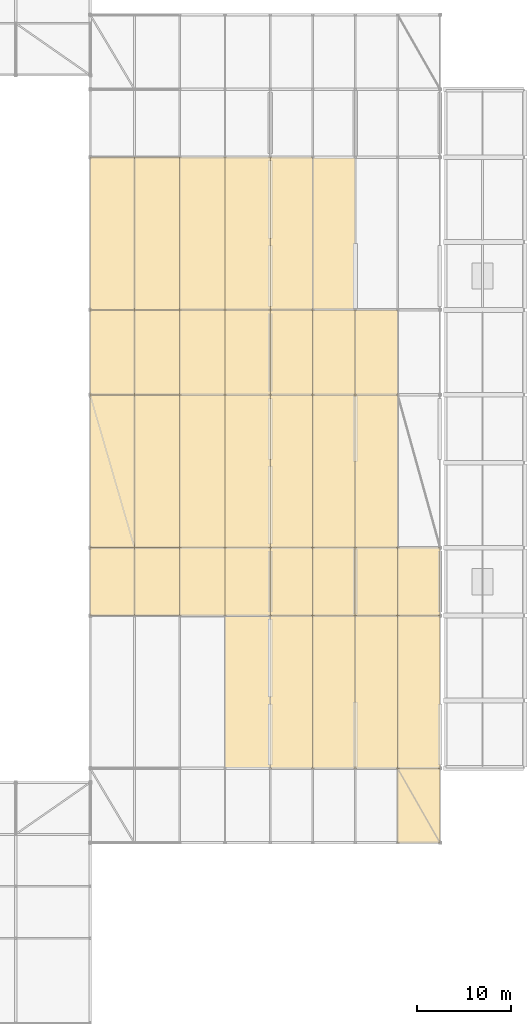
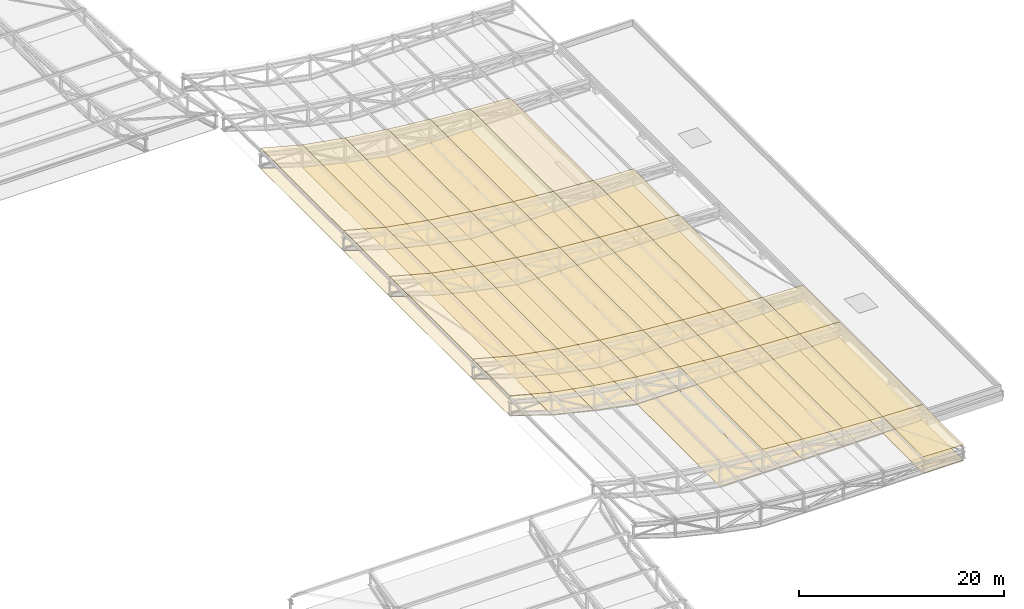
# One storey, part 112 of 114: 66 coverings, 2 elements without a shape of their own.
"""IFC4 building model written with IfcOpenShell, lengths in metres."""

from ifc_helpers import new_model, si_unit, direction, frame, origin, place, context, subcontext, project, spatial, polyline, outline, extrude, material, layer, layer_set, type_object, element, aggregate, save


model = new_model("IFC4")

# Units and contexts
model_context = context("Model", 3, precision=1e-05, world=origin(), true_north=direction((0.0, 1.0)))
body_context = subcontext(model_context, "Body", "Model", "MODEL_VIEW")
ifc_project = project(units=[si_unit("LENGTHUNIT", "METRE"), si_unit("AREAUNIT", "SQUARE_METRE"), si_unit("VOLUMEUNIT", "CUBIC_METRE"), si_unit("PLANEANGLEUNIT", "RADIAN"), si_unit("MASSUNIT", "GRAM", prefix="KILO"), si_unit("THERMODYNAMICTEMPERATUREUNIT", "KELVIN"), si_unit("POWERUNIT", "WATT")], contexts=[model_context])

# Site, building, storey
site_placement = place(None, origin())
site = spatial("IfcSite", under=ifc_project, at=site_placement, CompositionType="ELEMENT")
building_placement = place(site_placement, origin())
building = spatial("IfcBuilding", under=site, at=building_placement, Name="Sindhuravela Promenade Stadium", CompositionType="ELEMENT")
storey_placement = place(building_placement, frame((0.0, 0.0, 24.0)))
storey = spatial("IfcBuildingStorey", under=building, at=storey_placement, Name="L05", CompositionType="ELEMENT", Elevation=24.0)

# Roof, coverings
ifc_material_1 = material(Name="Standing-seam zinc-aluminium roof sheet", Category="aluminium")
roof_type = type_object("IfcRoofType", Name="RF-BARREL-E", PredefinedType="BARREL_ROOF", material=ifc_material_1)
roof_1_placement = place(storey_placement, origin())
roof_1 = element("IfcRoof", 1, at=roof_1_placement, inside=storey, type_object=roof_type, Name="Cantilevered stand roof assembly E-1", PredefinedType="BARREL_ROOF")
ifc_layer_1 = layer(ifc_material_1, 0.044921875)
ifc_layer_set_1 = layer_set([ifc_layer_1], Name="Standing-seam zinc-aluminium roof sheet")
covering_type_1 = type_object("IfcCoveringType", Name="CV-ROOF-E", PredefinedType="ROOFING", material=ifc_layer_set_1)
covering_1_placement = place(storey_placement, frame((198.0, 37.10009765625, 1.530029296875), z_axis=(0.029013388526599376, 0.0, 0.9995790230322985), x_axis=(0.0, 1.0, 0.0)))
covering_1 = element("IfcCovering", 2, at=covering_1_placement, type_object=covering_type_1, Name="Standing-seam roof covering E bay 1.1", PredefinedType="ROOFING", context=body_context, shape_type="SweptSolid", body=[
    extrude(outline(polyline([(0.0, 0.0), (7.89990234375, 0.0), (7.89990234375, 4.501895194187758), (0.0, 4.501895194187758), (0.0, 0.0)])), origin(), (0.0, 0.0, -1.0), 0.044921875),
])
covering_2_placement = place(storey_placement, frame((198.0, 45.0, 1.530029296875), z_axis=(0.029013388526599376, 0.0, 0.9995790230322985), x_axis=(0.0, 1.0, 0.0)))
covering_2 = element("IfcCovering", 3, at=covering_2_placement, type_object=covering_type_1, Name="Standing-seam roof covering E bay 2.1", PredefinedType="ROOFING", context=body_context, shape_type="SweptSolid", body=[
    extrude(outline(polyline([(0.0, 0.0), (16.199951171875, 0.0), (16.199951171875, 4.501895194187758), (0.0, 4.501895194187758), (0.0, 0.0)])), origin(), (0.0, 0.0, -1.0), 0.044921875),
])
covering_3_placement = place(storey_placement, frame((193.5, 45.0, 1.66064453125), z_axis=(0.044011133083803756, 0.0, 0.9990310406412203), x_axis=(0.0, 1.0, 0.0)))
covering_3 = element("IfcCovering", 4, at=covering_3_placement, type_object=covering_type_1, Name="Standing-seam roof covering E bay 2.2", PredefinedType="ROOFING", context=body_context, shape_type="SweptSolid", body=[
    extrude(outline(polyline([(0.0, 0.0), (16.199951171875, 0.0), (16.199951171875, 4.504364546182378), (0.0, 4.504364546182378), (0.0, 0.0)])), origin(), (0.0, 0.0, -1.0), 0.044921875),
])
covering_4_placement = place(storey_placement, frame((189.0, 45.0, 1.85888671875), z_axis=(0.060436199081064255, 0.0, 0.9981720622420935), x_axis=(0.0, 1.0, 0.0)))
covering_4 = element("IfcCovering", 5, at=covering_4_placement, type_object=covering_type_1, Name="Standing-seam roof covering E bay 2.3", PredefinedType="ROOFING", context=body_context, shape_type="SweptSolid", body=[
    extrude(outline(polyline([(0.0, 0.0), (16.199951171875, 0.0), (16.199951171875, 4.508240783549985), (0.0, 4.508240783549985), (0.0, 0.0)])), origin(), (0.0, 0.0, -1.0), 0.044921875),
])
covering_5_placement = place(storey_placement, frame((184.5, 45.0, 2.13134765625), z_axis=(0.07896274138457582, 0.0, 0.996877567945549), x_axis=(0.0, 1.0, 0.0)))
covering_5 = element("IfcCovering", 6, at=covering_5_placement, type_object=covering_type_1, Name="Standing-seam roof covering E bay 2.4", PredefinedType="ROOFING", context=body_context, shape_type="SweptSolid", body=[
    extrude(outline(polyline([(0.0, 0.0), (16.199951171875, 0.0), (16.199951171875, 4.514094954783653), (0.0, 4.514094954783653), (0.0, 0.0)])), origin(), (0.0, 0.0, -1.0), 0.044921875),
])
covering_6_placement = place(storey_placement, frame((198.0, 61.199951171875, 1.530029296875), z_axis=(0.02901338852659938, 0.0, 0.9995790230322986), x_axis=(0.0, 1.0, 0.0)))
covering_6 = element("IfcCovering", 7, at=covering_6_placement, type_object=covering_type_1, Name="Standing-seam roof covering E bay 3.1", PredefinedType="ROOFING", context=body_context, shape_type="SweptSolid", body=[
    extrude(outline(polyline([(0.0, 0.0), (7.199951171875, 0.0), (7.199951171875, 4.5018951941877585), (0.0, 4.5018951941877585), (0.0, 0.0)])), origin(), (0.0, 0.0, -1.0), 0.044921875),
])
covering_7_placement = place(storey_placement, frame((193.5, 61.199951171875, 1.66064453125), z_axis=(0.04401113308380376, 0.0, 0.9990310406412204), x_axis=(0.0, 1.0, 0.0)))
covering_7 = element("IfcCovering", 8, at=covering_7_placement, type_object=covering_type_1, Name="Standing-seam roof covering E bay 3.2", PredefinedType="ROOFING", context=body_context, shape_type="SweptSolid", body=[
    extrude(outline(polyline([(0.0, 0.0), (7.199951171875, 0.0), (7.199951171875, 4.504364546182379), (0.0, 4.504364546182379), (0.0, 0.0)])), origin(), (0.0, 0.0, -1.0), 0.044921875),
])
covering_8_placement = place(storey_placement, frame((189.0, 61.199951171875, 1.85888671875), z_axis=(0.060436199081064255, 0.0, 0.9981720622420935), x_axis=(0.0, 1.0, 0.0)))
covering_8 = element("IfcCovering", 9, at=covering_8_placement, type_object=covering_type_1, Name="Standing-seam roof covering E bay 3.3", PredefinedType="ROOFING", context=body_context, shape_type="SweptSolid", body=[
    extrude(outline(polyline([(0.0, 0.0), (7.199951171875, 0.0), (7.199951171875, 4.508240783549985), (0.0, 4.508240783549985), (0.0, 0.0)])), origin(), (0.0, 0.0, -1.0), 0.044921875),
])
covering_9_placement = place(storey_placement, frame((184.5, 61.199951171875, 2.13134765625), z_axis=(0.07896274138457582, 0.0, 0.9968775679455489), x_axis=(0.0, 1.0, 0.0)))
covering_9 = element("IfcCovering", 10, at=covering_9_placement, type_object=covering_type_1, Name="Standing-seam roof covering E bay 3.4", PredefinedType="ROOFING", context=body_context, shape_type="SweptSolid", body=[
    extrude(outline(polyline([(0.0, 0.0), (7.199951171875, 0.0), (7.199951171875, 4.514094954783652), (0.0, 4.514094954783652), (0.0, 0.0)])), origin(), (0.0, 0.0, -1.0), 0.044921875),
])
covering_10_placement = place(storey_placement, frame((180.0, 61.199951171875, 2.48779296875), z_axis=(0.10190304617894301, 0.0, 0.9947943351162852), x_axis=(0.0, 1.0, 0.0)))
covering_10 = element("IfcCovering", 11, at=covering_10_placement, type_object=covering_type_1, Name="Standing-seam roof covering E bay 3.5", PredefinedType="ROOFING", context=body_context, shape_type="SweptSolid", body=[
    extrude(outline(polyline([(0.0, 0.0), (7.199951171875, 0.0), (7.199951171875, 4.825167030694745), (0.0, 4.825167030694745), (0.0, 0.0)])), origin(), (0.0, 0.0, -1.0), 0.044921875),
])
covering_11_placement = place(storey_placement, frame((175.199951171875, 61.199951171875, 2.9794921875), z_axis=(0.1322396730802035, 0.0, 0.9912177706556925), x_axis=(0.0, 1.0, 0.0)))
covering_11 = element("IfcCovering", 12, at=covering_11_placement, type_object=covering_type_1, Name="Standing-seam roof covering E bay 3.6", PredefinedType="ROOFING", context=body_context, shape_type="SweptSolid", body=[
    extrude(outline(polyline([(0.0, 0.0), (7.199951171875, 0.0), (7.199951171875, 4.842577453943101), (0.0, 4.842577453943101), (0.0, 0.0)])), origin(), (0.0, 0.0, -1.0), 0.044921875),
])
covering_12_placement = place(storey_placement, frame((170.39990234375, 61.199951171875, 3.619873046875), z_axis=(0.17653223173388988, 0.0, 0.9842948598662152), x_axis=(0.0, 1.0, 0.0)))
covering_12 = element("IfcCovering", 13, at=covering_12_placement, type_object=covering_type_1, Name="Standing-seam roof covering E bay 3.7", PredefinedType="ROOFING", context=body_context, shape_type="SweptSolid", body=[
    extrude(outline(polyline([(0.0, 0.0), (7.199951171875, 0.0), (7.199951171875, 4.876389061050656), (0.0, 4.876389061050656), (0.0, 0.0)])), origin(), (0.0, 0.0, -1.0), 0.044921875),
])
covering_13_placement = place(storey_placement, frame((165.60009765625, 61.199951171875, 4.480712890625), z_axis=(0.2568720746349965, 0.0, 0.9664454134987205), x_axis=(0.0, 1.0, 0.0)))
covering_13 = element("IfcCovering", 14, at=covering_13_placement, type_object=covering_type_1, Name="Standing-seam roof covering E bay 3.8", PredefinedType="ROOFING", context=body_context, shape_type="SweptSolid", body=[
    extrude(outline(polyline([(0.0, 0.0), (7.199951171875, 0.0), (7.199951171875, 4.8633841568810166), (0.0, 4.8633841568810166), (0.0, 0.0)])), origin(), (0.0, 0.0, -1.0), 0.044921875),
])
covering_14_placement = place(storey_placement, frame((193.5, 68.39990234375, 1.66064453125), z_axis=(0.04401113308380376, 0.0, 0.9990310406412204), x_axis=(0.0, 1.0, 0.0)))
covering_14 = element("IfcCovering", 15, at=covering_14_placement, type_object=covering_type_1, Name="Standing-seam roof covering E bay 4.2", PredefinedType="ROOFING", context=body_context, shape_type="SweptSolid", body=[
    extrude(outline(polyline([(0.0, 0.0), (16.2001953125, 0.0), (16.2001953125, 4.504364546182379), (0.0, 4.504364546182379), (0.0, 0.0)])), origin(), (0.0, 0.0, -1.0), 0.044921875),
])
covering_15_placement = place(storey_placement, frame((189.0, 68.39990234375, 1.85888671875), z_axis=(0.06043619908106426, 0.0, 0.9981720622420936), x_axis=(0.0, 1.0, 0.0)))
covering_15 = element("IfcCovering", 16, at=covering_15_placement, type_object=covering_type_1, Name="Standing-seam roof covering E bay 4.3", PredefinedType="ROOFING", context=body_context, shape_type="SweptSolid", body=[
    extrude(outline(polyline([(0.0, 0.0), (16.2001953125, 0.0), (16.2001953125, 4.508240783549985), (0.0, 4.508240783549985), (0.0, 0.0)])), origin(), (0.0, 0.0, -1.0), 0.044921875),
])
covering_16_placement = place(storey_placement, frame((184.5, 68.39990234375, 2.13134765625), z_axis=(0.07896274138457582, 0.0, 0.9968775679455489), x_axis=(0.0, 1.0, 0.0)))
covering_16 = element("IfcCovering", 17, at=covering_16_placement, type_object=covering_type_1, Name="Standing-seam roof covering E bay 4.4", PredefinedType="ROOFING", context=body_context, shape_type="SweptSolid", body=[
    extrude(outline(polyline([(0.0, 0.0), (16.2001953125, 0.0), (16.2001953125, 4.514094954783652), (0.0, 4.514094954783652), (0.0, 0.0)])), origin(), (0.0, 0.0, -1.0), 0.044921875),
])
covering_17_placement = place(storey_placement, frame((180.0, 68.39990234375, 2.48779296875), z_axis=(0.10190304617894302, 0.0, 0.9947943351162855), x_axis=(0.0, 1.0, 0.0)))
covering_17 = element("IfcCovering", 18, at=covering_17_placement, type_object=covering_type_1, Name="Standing-seam roof covering E bay 4.5", PredefinedType="ROOFING", context=body_context, shape_type="SweptSolid", body=[
    extrude(outline(polyline([(0.0, 0.0), (16.2001953125, 0.0), (16.2001953125, 4.825167030694747), (0.0, 4.825167030694747), (0.0, 0.0)])), origin(), (0.0, 0.0, -1.0), 0.044921875),
])
covering_18_placement = place(storey_placement, frame((175.199951171875, 68.39990234375, 2.9794921875), z_axis=(0.1322396730802035, 0.0, 0.9912177706556924), x_axis=(0.0, 1.0, 0.0)))
covering_18 = element("IfcCovering", 19, at=covering_18_placement, type_object=covering_type_1, Name="Standing-seam roof covering E bay 4.6", PredefinedType="ROOFING", context=body_context, shape_type="SweptSolid", body=[
    extrude(outline(polyline([(0.0, 0.0), (16.2001953125, 0.0), (16.2001953125, 4.842577453943101), (0.0, 4.842577453943101), (0.0, 0.0)])), origin(), (0.0, 0.0, -1.0), 0.044921875),
])
covering_19_placement = place(storey_placement, frame((170.39990234375, 68.39990234375, 3.619873046875), z_axis=(0.17653223173388988, 0.0, 0.9842948598662152), x_axis=(0.0, 1.0, 0.0)))
covering_19 = element("IfcCovering", 20, at=covering_19_placement, type_object=covering_type_1, Name="Standing-seam roof covering E bay 4.7", PredefinedType="ROOFING", context=body_context, shape_type="SweptSolid", body=[
    extrude(outline(polyline([(0.0, 0.0), (16.2001953125, 0.0), (16.2001953125, 4.876389061050656), (0.0, 4.876389061050656), (0.0, 0.0)])), origin(), (0.0, 0.0, -1.0), 0.044921875),
])
covering_20_placement = place(storey_placement, frame((165.60009765625, 68.39990234375, 4.480712890625), z_axis=(0.2568720746349965, 0.0, 0.9664454134987205), x_axis=(0.0, 1.0, 0.0)))
covering_20 = element("IfcCovering", 21, at=covering_20_placement, type_object=covering_type_1, Name="Standing-seam roof covering E bay 4.8", PredefinedType="ROOFING", context=body_context, shape_type="SweptSolid", body=[
    extrude(outline(polyline([(0.0, 0.0), (16.2001953125, 0.0), (16.2001953125, 4.8633841568810166), (0.0, 4.8633841568810166), (0.0, 0.0)])), origin(), (0.0, 0.0, -1.0), 0.044921875),
])
aggregate(roof_1, [covering_1, covering_2, covering_3, covering_4, covering_5, covering_6, covering_7, covering_8, covering_9, covering_10, covering_11, covering_12, covering_13, covering_14, covering_15, covering_16, covering_17, covering_18, covering_19, covering_20])

roof_2_placement = place(storey_placement, origin())
roof_2 = element("IfcRoof", 22, at=roof_2_placement, inside=storey, type_object=roof_type, Name="Cantilevered stand roof assembly E-2", PredefinedType="BARREL_ROOF")
covering_21_placement = place(storey_placement, frame((193.5, 84.60009765625, 1.66064453125), z_axis=(0.04401113308380376, 0.0, 0.9990310406412204), x_axis=(0.0, 1.0, 0.0)))
covering_21 = element("IfcCovering", 23, at=covering_21_placement, type_object=covering_type_1, Name="Standing-seam roof covering E bay 5.2", PredefinedType="ROOFING", context=body_context, shape_type="SweptSolid", body=[
    extrude(outline(polyline([(0.0, 0.0), (9.0, 0.0), (9.0, 4.504364546182379), (0.0, 4.504364546182379), (0.0, 0.0)])), origin(), (0.0, 0.0, -1.0), 0.044921875),
])
covering_22_placement = place(storey_placement, frame((189.0, 84.60009765625, 1.85888671875), z_axis=(0.060436199081064255, 0.0, 0.9981720622420935), x_axis=(0.0, 1.0, 0.0)))
covering_22 = element("IfcCovering", 24, at=covering_22_placement, type_object=covering_type_1, Name="Standing-seam roof covering E bay 5.3", PredefinedType="ROOFING", context=body_context, shape_type="SweptSolid", body=[
    extrude(outline(polyline([(0.0, 0.0), (9.0, 0.0), (9.0, 4.508240783549985), (0.0, 4.508240783549985), (0.0, 0.0)])), origin(), (0.0, 0.0, -1.0), 0.044921875),
])
covering_23_placement = place(storey_placement, frame((184.5, 84.60009765625, 2.13134765625), z_axis=(0.07896274138457582, 0.0, 0.9968775679455489), x_axis=(0.0, 1.0, 0.0)))
covering_23 = element("IfcCovering", 25, at=covering_23_placement, type_object=covering_type_1, Name="Standing-seam roof covering E bay 5.4", PredefinedType="ROOFING", context=body_context, shape_type="SweptSolid", body=[
    extrude(outline(polyline([(0.0, 0.0), (9.0, 0.0), (9.0, 4.514094954783652), (0.0, 4.514094954783652), (0.0, 0.0)])), origin(), (0.0, 0.0, -1.0), 0.044921875),
])
covering_24_placement = place(storey_placement, frame((180.0, 84.60009765625, 2.48779296875), z_axis=(0.10190304617894301, 0.0, 0.9947943351162853), x_axis=(0.0, 1.0, 0.0)))
covering_24 = element("IfcCovering", 26, at=covering_24_placement, type_object=covering_type_1, Name="Standing-seam roof covering E bay 5.5", PredefinedType="ROOFING", context=body_context, shape_type="SweptSolid", body=[
    extrude(outline(polyline([(0.0, 0.0), (9.0, 0.0), (9.0, 4.825167030694746), (0.0, 4.825167030694746), (0.0, 0.0)])), origin(), (0.0, 0.0, -1.0), 0.044921875),
])
covering_25_placement = place(storey_placement, frame((175.199951171875, 84.60009765625, 2.9794921875), z_axis=(0.1322396730802035, 0.0, 0.9912177706556925), x_axis=(0.0, 1.0, 0.0)))
covering_25 = element("IfcCovering", 27, at=covering_25_placement, type_object=covering_type_1, Name="Standing-seam roof covering E bay 5.6", PredefinedType="ROOFING", context=body_context, shape_type="SweptSolid", body=[
    extrude(outline(polyline([(0.0, 0.0), (9.0, 0.0), (9.0, 4.842577453943101), (0.0, 4.842577453943101), (0.0, 0.0)])), origin(), (0.0, 0.0, -1.0), 0.044921875),
])
covering_26_placement = place(storey_placement, frame((170.39990234375, 84.60009765625, 3.619873046875), z_axis=(0.17653223173388985, 0.0, 0.9842948598662151), x_axis=(0.0, 1.0, 0.0)))
covering_26 = element("IfcCovering", 28, at=covering_26_placement, type_object=covering_type_1, Name="Standing-seam roof covering E bay 5.7", PredefinedType="ROOFING", context=body_context, shape_type="SweptSolid", body=[
    extrude(outline(polyline([(0.0, 0.0), (9.0, 0.0), (9.0, 4.876389061050656), (0.0, 4.876389061050656), (0.0, 0.0)])), origin(), (0.0, 0.0, -1.0), 0.044921875),
])
covering_27_placement = place(storey_placement, frame((165.60009765625, 84.60009765625, 4.480712890625), z_axis=(0.2568720746349965, 0.0, 0.9664454134987204), x_axis=(0.0, 1.0, 0.0)))
covering_27 = element("IfcCovering", 29, at=covering_27_placement, type_object=covering_type_1, Name="Standing-seam roof covering E bay 5.8", PredefinedType="ROOFING", context=body_context, shape_type="SweptSolid", body=[
    extrude(outline(polyline([(0.0, 0.0), (9.0, 0.0), (9.0, 4.8633841568810166), (0.0, 4.8633841568810166), (0.0, 0.0)])), origin(), (0.0, 0.0, -1.0), 0.044921875),
])
covering_28_placement = place(storey_placement, frame((189.0, 93.60009765625, 1.85888671875), z_axis=(0.060436199081064255, 0.0, 0.9981720622420935), x_axis=(0.0, 1.0, 0.0)))
covering_28 = element("IfcCovering", 30, at=covering_28_placement, type_object=covering_type_1, Name="Standing-seam roof covering E bay 6.3", PredefinedType="ROOFING", context=body_context, shape_type="SweptSolid", body=[
    extrude(outline(polyline([(0.0, 0.0), (16.199951171875, 0.0), (16.199951171875, 4.508240783549985), (0.0, 4.508240783549985), (0.0, 0.0)])), origin(), (0.0, 0.0, -1.0), 0.044921875),
])
covering_29_placement = place(storey_placement, frame((184.5, 93.60009765625, 2.13134765625), z_axis=(0.07896274138457582, 0.0, 0.996877567945549), x_axis=(0.0, 1.0, 0.0)))
covering_29 = element("IfcCovering", 31, at=covering_29_placement, type_object=covering_type_1, Name="Standing-seam roof covering E bay 6.4", PredefinedType="ROOFING", context=body_context, shape_type="SweptSolid", body=[
    extrude(outline(polyline([(0.0, 0.0), (16.199951171875, 0.0), (16.199951171875, 4.514094954783653), (0.0, 4.514094954783653), (0.0, 0.0)])), origin(), (0.0, 0.0, -1.0), 0.044921875),
])
covering_30_placement = place(storey_placement, frame((180.0, 93.60009765625, 2.48779296875), z_axis=(0.10190304617894302, 0.0, 0.9947943351162853), x_axis=(0.0, 1.0, 0.0)))
covering_30 = element("IfcCovering", 32, at=covering_30_placement, type_object=covering_type_1, Name="Standing-seam roof covering E bay 6.5", PredefinedType="ROOFING", context=body_context, shape_type="SweptSolid", body=[
    extrude(outline(polyline([(0.0, 0.0), (16.199951171875, 0.0), (16.199951171875, 4.825167030694746), (0.0, 4.825167030694746), (0.0, 0.0)])), origin(), (0.0, 0.0, -1.0), 0.044921875),
])
covering_31_placement = place(storey_placement, frame((175.199951171875, 93.60009765625, 2.9794921875), z_axis=(0.1322396730802035, 0.0, 0.9912177706556924), x_axis=(0.0, 1.0, 0.0)))
covering_31 = element("IfcCovering", 33, at=covering_31_placement, type_object=covering_type_1, Name="Standing-seam roof covering E bay 6.6", PredefinedType="ROOFING", context=body_context, shape_type="SweptSolid", body=[
    extrude(outline(polyline([(0.0, 0.0), (16.199951171875, 0.0), (16.199951171875, 4.842577453943101), (0.0, 4.842577453943101), (0.0, 0.0)])), origin(), (0.0, 0.0, -1.0), 0.044921875),
])
covering_32_placement = place(storey_placement, frame((170.39990234375, 93.60009765625, 3.619873046875), z_axis=(0.17653223173388985, 0.0, 0.9842948598662151), x_axis=(0.0, 1.0, 0.0)))
covering_32 = element("IfcCovering", 34, at=covering_32_placement, type_object=covering_type_1, Name="Standing-seam roof covering E bay 6.7", PredefinedType="ROOFING", context=body_context, shape_type="SweptSolid", body=[
    extrude(outline(polyline([(0.0, 0.0), (16.199951171875, 0.0), (16.199951171875, 4.876389061050656), (0.0, 4.876389061050656), (0.0, 0.0)])), origin(), (0.0, 0.0, -1.0), 0.044921875),
])
covering_33_placement = place(storey_placement, frame((165.60009765625, 93.60009765625, 4.480712890625), z_axis=(0.2568720746349965, 0.0, 0.9664454134987206), x_axis=(0.0, 1.0, 0.0)))
covering_33 = element("IfcCovering", 35, at=covering_33_placement, type_object=covering_type_1, Name="Standing-seam roof covering E bay 6.8", PredefinedType="ROOFING", context=body_context, shape_type="SweptSolid", body=[
    extrude(outline(polyline([(0.0, 0.0), (16.199951171875, 0.0), (16.199951171875, 4.863384156881017), (0.0, 4.863384156881017), (0.0, 0.0)])), origin(), (0.0, 0.0, -1.0), 0.044921875),
])
aggregate(roof_2, [covering_21, covering_22, covering_23, covering_24, covering_25, covering_26, covering_27, covering_28, covering_29, covering_30, covering_31, covering_32, covering_33])

# Coverings
ifc_material_2 = material(Name="White PVDF aluminium soffit cladding", Category="aluminium")
ifc_layer_2 = layer(ifc_material_2, 0.034912109375)
ifc_layer_set_2 = layer_set([ifc_layer_2], Name="White PVDF aluminium soffit cladding")
covering_type_2 = type_object("IfcCoveringType", Name="CV-SOFFIT-E", PredefinedType="CEILING", material=ifc_layer_set_2)
covering_34_placement = place(storey_placement, frame((198.0, 37.10009765625, -0.300048828125), z_axis=(0.0, 0.0, 1.0), x_axis=(0.0, 1.0, 0.0)))
element("IfcCovering", 36, at=covering_34_placement, inside=storey, type_object=covering_type_2, Name="Smooth white canopy soffit cladding E bay 1.1", PredefinedType="CEILING", context=body_context, shape_type="SweptSolid", body=[
    extrude(outline(polyline([(0.0, 0.0), (7.89990234375, 0.0), (7.89990234375, 4.5), (0.0, 4.5), (0.0, 0.0)])), origin(), (0.0, 0.0, -1.0), 0.034912109375),
])
for number, where, z_axis, x_axis, name in (
    (37, (198.0, 45.0, -0.300048828125), (0.0, 0.0, 1.0), (0.0, 1.0, 0.0), "Smooth white canopy soffit cladding E bay 2.1"),
    (38, (193.5, 45.0, -0.300048828125), (0.0, 0.0, 1.0), (0.0, 1.0, 0.0), "Smooth white canopy soffit cladding E bay 2.2"),
    (39, (189.0, 45.0, -0.300048828125), (0.0, 0.0, 1.0), (0.0, 1.0, 0.0), "Smooth white canopy soffit cladding E bay 2.3"),
    (40, (184.5, 45.0, -0.300048828125), (0.0, 0.0, 1.0), (0.0, 1.0, 0.0), "Smooth white canopy soffit cladding E bay 2.4"),
):
    element("IfcCovering", number, at=place(storey_placement, frame(where, z_axis=z_axis, x_axis=x_axis)), inside=storey, type_object=covering_type_2, Name=name, PredefinedType="CEILING", context=body_context, shape_type="SweptSolid", body=[
        extrude(outline(polyline([(0.0, 0.0), (16.199951171875, 0.0), (16.199951171875, 4.5), (0.0, 4.5), (0.0, 0.0)])), origin(), (0.0, 0.0, -1.0), 0.034912109375),
    ])
covering_35_placement = place(storey_placement, frame((180.0, 45.0, -0.300048828125), z_axis=(0.006713647583757801, 0.0, 0.9999774632141071), x_axis=(0.0, 1.0, 0.0)))
element("IfcCovering", 41, at=covering_35_placement, inside=storey, type_object=covering_type_2, Name="Smooth white canopy soffit cladding E bay 2.5", PredefinedType="CEILING", context=body_context, shape_type="SweptSolid", body=[
    extrude(outline(polyline([(0.0, 0.0), (16.199951171875, 0.0), (16.199951171875, 4.800157008235746), (0.0, 4.800157008235746), (0.0, 0.0)])), origin(), (0.0, 0.0, -1.0), 0.034912109375),
])
for number, where, z_axis, x_axis, name in (
    (42, (198.0, 61.199951171875, -0.300048828125), (0.0, 0.0, 1.0), (0.0, 1.0, 0.0), "Smooth white canopy soffit cladding E bay 3.1"),
    (43, (193.5, 61.199951171875, -0.300048828125), (0.0, 0.0, 1.0), (0.0, 1.0, 0.0), "Smooth white canopy soffit cladding E bay 3.2"),
    (44, (189.0, 61.199951171875, -0.300048828125), (0.0, 0.0, 1.0), (0.0, 1.0, 0.0), "Smooth white canopy soffit cladding E bay 3.3"),
    (45, (184.5, 61.199951171875, -0.300048828125), (0.0, 0.0, 1.0), (0.0, 1.0, 0.0), "Smooth white canopy soffit cladding E bay 3.4"),
):
    element("IfcCovering", number, at=place(storey_placement, frame(where, z_axis=z_axis, x_axis=x_axis)), inside=storey, type_object=covering_type_2, Name=name, PredefinedType="CEILING", context=body_context, shape_type="SweptSolid", body=[
        extrude(outline(polyline([(0.0, 0.0), (7.199951171875, 0.0), (7.199951171875, 4.5), (0.0, 4.5), (0.0, 0.0)])), origin(), (0.0, 0.0, -1.0), 0.034912109375),
    ])
covering_36_placement = place(storey_placement, frame((180.0, 61.199951171875, -0.300048828125), z_axis=(0.006713647583757803, 0.0, 0.9999774632141073), x_axis=(0.0, 1.0, 0.0)))
element("IfcCovering", 46, at=covering_36_placement, inside=storey, type_object=covering_type_2, Name="Smooth white canopy soffit cladding E bay 3.5", PredefinedType="CEILING", context=body_context, shape_type="SweptSolid", body=[
    extrude(outline(polyline([(0.0, 0.0), (7.199951171875, 0.0), (7.199951171875, 4.800157008235747), (0.0, 4.800157008235747), (0.0, 0.0)])), origin(), (0.0, 0.0, -1.0), 0.034912109375),
])
covering_37_placement = place(storey_placement, frame((175.199951171875, 61.199951171875, -0.267822265625), z_axis=(0.18884924617406632, 0.0, 0.9820060907242311), x_axis=(0.0, 1.0, 0.0)))
element("IfcCovering", 47, at=covering_37_placement, inside=storey, type_object=covering_type_2, Name="Smooth white canopy soffit cladding E bay 3.6", PredefinedType="CEILING", context=body_context, shape_type="SweptSolid", body=[
    extrude(outline(polyline([(0.0, 0.0), (7.199951171875, 0.0), (7.199951171875, 4.8880031126741335), (0.0, 4.8880031126741335), (0.0, 0.0)])), origin(), (0.0, 0.0, -1.0), 0.034912109375),
])
covering_38_placement = place(storey_placement, frame((170.39990234375, 61.199951171875, 0.6552734375), z_axis=(0.2318100516051311, 0.0, 0.9727610703429834), x_axis=(0.0, 1.0, 0.0)))
element("IfcCovering", 48, at=covering_38_placement, inside=storey, type_object=covering_type_2, Name="Smooth white canopy soffit cladding E bay 3.7", PredefinedType="CEILING", context=body_context, shape_type="SweptSolid", body=[
    extrude(outline(polyline([(0.0, 0.0), (7.199951171875, 0.0), (7.199951171875, 4.934207210623314), (0.0, 4.934207210623314), (0.0, 0.0)])), origin(), (0.0, 0.0, -1.0), 0.034912109375),
])
covering_39_placement = place(storey_placement, frame((165.60009765625, 61.199951171875, 1.799072265625), z_axis=(0.308777732190374, 0.0, 0.951134224020653), x_axis=(0.0, 1.0, 0.0)))
element("IfcCovering", 49, at=covering_39_placement, inside=storey, type_object=covering_type_2, Name="Smooth white canopy soffit cladding E bay 3.8", PredefinedType="CEILING", context=body_context, shape_type="SweptSolid", body=[
    extrude(outline(polyline([(0.0, 0.0), (7.199951171875, 0.0), (7.199951171875, 4.941674049569201), (0.0, 4.941674049569201), (0.0, 0.0)])), origin(), (0.0, 0.0, -1.0), 0.034912109375),
])
for number, where, z_axis, x_axis, name in (
    (50, (193.5, 68.39990234375, -0.300048828125), (0.0, 0.0, 1.0), (0.0, 1.0, 0.0), "Smooth white canopy soffit cladding E bay 4.2"),
    (51, (189.0, 68.39990234375, -0.300048828125), (0.0, 0.0, 1.0), (0.0, 1.0, 0.0), "Smooth white canopy soffit cladding E bay 4.3"),
    (52, (184.5, 68.39990234375, -0.300048828125), (0.0, 0.0, 1.0), (0.0, 1.0, 0.0), "Smooth white canopy soffit cladding E bay 4.4"),
):
    element("IfcCovering", number, at=place(storey_placement, frame(where, z_axis=z_axis, x_axis=x_axis)), inside=storey, type_object=covering_type_2, Name=name, PredefinedType="CEILING", context=body_context, shape_type="SweptSolid", body=[
        extrude(outline(polyline([(0.0, 0.0), (16.2001953125, 0.0), (16.2001953125, 4.5), (0.0, 4.5), (0.0, 0.0)])), origin(), (0.0, 0.0, -1.0), 0.034912109375),
    ])
covering_40_placement = place(storey_placement, frame((180.0, 68.39990234375, -0.300048828125), z_axis=(0.006713647583757803, 0.0, 0.9999774632141073), x_axis=(0.0, 1.0, 0.0)))
element("IfcCovering", 53, at=covering_40_placement, inside=storey, type_object=covering_type_2, Name="Smooth white canopy soffit cladding E bay 4.5", PredefinedType="CEILING", context=body_context, shape_type="SweptSolid", body=[
    extrude(outline(polyline([(0.0, 0.0), (16.2001953125, 0.0), (16.2001953125, 4.800157008235747), (0.0, 4.800157008235747), (0.0, 0.0)])), origin(), (0.0, 0.0, -1.0), 0.034912109375),
])
covering_41_placement = place(storey_placement, frame((175.199951171875, 68.39990234375, -0.267822265625), z_axis=(0.18884924617406634, 0.0, 0.9820060907242312), x_axis=(0.0, 1.0, 0.0)))
element("IfcCovering", 54, at=covering_41_placement, inside=storey, type_object=covering_type_2, Name="Smooth white canopy soffit cladding E bay 4.6", PredefinedType="CEILING", context=body_context, shape_type="SweptSolid", body=[
    extrude(outline(polyline([(0.0, 0.0), (16.2001953125, 0.0), (16.2001953125, 4.888003112674134), (0.0, 4.888003112674134), (0.0, 0.0)])), origin(), (0.0, 0.0, -1.0), 0.034912109375),
])
covering_42_placement = place(storey_placement, frame((170.39990234375, 68.39990234375, 0.6552734375), z_axis=(0.23181005160513107, 0.0, 0.9727610703429833), x_axis=(0.0, 1.0, 0.0)))
element("IfcCovering", 55, at=covering_42_placement, inside=storey, type_object=covering_type_2, Name="Smooth white canopy soffit cladding E bay 4.7", PredefinedType="CEILING", context=body_context, shape_type="SweptSolid", body=[
    extrude(outline(polyline([(0.0, 0.0), (16.2001953125, 0.0), (16.2001953125, 4.934207210623313), (0.0, 4.934207210623313), (0.0, 0.0)])), origin(), (0.0, 0.0, -1.0), 0.034912109375),
])
covering_43_placement = place(storey_placement, frame((165.60009765625, 68.39990234375, 1.799072265625), z_axis=(0.308777732190374, 0.0, 0.951134224020653), x_axis=(0.0, 1.0, 0.0)))
element("IfcCovering", 56, at=covering_43_placement, inside=storey, type_object=covering_type_2, Name="Smooth white canopy soffit cladding E bay 4.8", PredefinedType="CEILING", context=body_context, shape_type="SweptSolid", body=[
    extrude(outline(polyline([(0.0, 0.0), (16.2001953125, 0.0), (16.2001953125, 4.941674049569201), (0.0, 4.941674049569201), (0.0, 0.0)])), origin(), (0.0, 0.0, -1.0), 0.034912109375),
])
for number, where, z_axis, x_axis, name in (
    (57, (193.5, 84.60009765625, -0.300048828125), (0.0, 0.0, 1.0), (0.0, 1.0, 0.0), "Smooth white canopy soffit cladding E bay 5.2"),
    (58, (189.0, 84.60009765625, -0.300048828125), (0.0, 0.0, 1.0), (0.0, 1.0, 0.0), "Smooth white canopy soffit cladding E bay 5.3"),
    (59, (184.5, 84.60009765625, -0.300048828125), (0.0, 0.0, 1.0), (0.0, 1.0, 0.0), "Smooth white canopy soffit cladding E bay 5.4"),
):
    element("IfcCovering", number, at=place(storey_placement, frame(where, z_axis=z_axis, x_axis=x_axis)), inside=storey, type_object=covering_type_2, Name=name, PredefinedType="CEILING", context=body_context, shape_type="SweptSolid", body=[
        extrude(outline(polyline([(0.0, 0.0), (9.0, 0.0), (9.0, 4.5), (0.0, 4.5), (0.0, 0.0)])), origin(), (0.0, 0.0, -1.0), 0.034912109375),
    ])
covering_44_placement = place(storey_placement, frame((180.0, 84.60009765625, -0.300048828125), z_axis=(0.006713647583757802, 0.0, 0.9999774632141072), x_axis=(0.0, 1.0, 0.0)))
element("IfcCovering", 60, at=covering_44_placement, inside=storey, type_object=covering_type_2, Name="Smooth white canopy soffit cladding E bay 5.5", PredefinedType="CEILING", context=body_context, shape_type="SweptSolid", body=[
    extrude(outline(polyline([(0.0, 0.0), (9.0, 0.0), (9.0, 4.800157008235746), (0.0, 4.800157008235746), (0.0, 0.0)])), origin(), (0.0, 0.0, -1.0), 0.034912109375),
])
covering_45_placement = place(storey_placement, frame((175.199951171875, 84.60009765625, -0.267822265625), z_axis=(0.18884924617406632, 0.0, 0.9820060907242311), x_axis=(0.0, 1.0, 0.0)))
element("IfcCovering", 61, at=covering_45_placement, inside=storey, type_object=covering_type_2, Name="Smooth white canopy soffit cladding E bay 5.6", PredefinedType="CEILING", context=body_context, shape_type="SweptSolid", body=[
    extrude(outline(polyline([(0.0, 0.0), (9.0, 0.0), (9.0, 4.8880031126741335), (0.0, 4.8880031126741335), (0.0, 0.0)])), origin(), (0.0, 0.0, -1.0), 0.034912109375),
])
covering_46_placement = place(storey_placement, frame((170.39990234375, 84.60009765625, 0.6552734375), z_axis=(0.23181005160513105, 0.0, 0.9727610703429832), x_axis=(0.0, 1.0, 0.0)))
element("IfcCovering", 62, at=covering_46_placement, inside=storey, type_object=covering_type_2, Name="Smooth white canopy soffit cladding E bay 5.7", PredefinedType="CEILING", context=body_context, shape_type="SweptSolid", body=[
    extrude(outline(polyline([(0.0, 0.0), (9.0, 0.0), (9.0, 4.934207210623313), (0.0, 4.934207210623313), (0.0, 0.0)])), origin(), (0.0, 0.0, -1.0), 0.034912109375),
])
covering_47_placement = place(storey_placement, frame((165.60009765625, 84.60009765625, 1.799072265625), z_axis=(0.3087777321903741, 0.0, 0.951134224020653), x_axis=(0.0, 1.0, 0.0)))
element("IfcCovering", 63, at=covering_47_placement, inside=storey, type_object=covering_type_2, Name="Smooth white canopy soffit cladding E bay 5.8", PredefinedType="CEILING", context=body_context, shape_type="SweptSolid", body=[
    extrude(outline(polyline([(0.0, 0.0), (9.0, 0.0), (9.0, 4.941674049569201), (0.0, 4.941674049569201), (0.0, 0.0)])), origin(), (0.0, 0.0, -1.0), 0.034912109375),
])
covering_48_placement = place(storey_placement, frame((184.5, 93.60009765625, -0.300048828125), z_axis=(0.0, 0.0, 1.0), x_axis=(0.0, 1.0, 0.0)))
element("IfcCovering", 64, at=covering_48_placement, inside=storey, type_object=covering_type_2, Name="Smooth white canopy soffit cladding E bay 6.4", PredefinedType="CEILING", context=body_context, shape_type="SweptSolid", body=[
    extrude(outline(polyline([(0.0, 0.0), (16.199951171875, 0.0), (16.199951171875, 4.5), (0.0, 4.5), (0.0, 0.0)])), origin(), (0.0, 0.0, -1.0), 0.034912109375),
])
covering_49_placement = place(storey_placement, frame((180.0, 93.60009765625, -0.300048828125), z_axis=(0.006713647583757801, 0.0, 0.9999774632141071), x_axis=(0.0, 1.0, 0.0)))
element("IfcCovering", 65, at=covering_49_placement, inside=storey, type_object=covering_type_2, Name="Smooth white canopy soffit cladding E bay 6.5", PredefinedType="CEILING", context=body_context, shape_type="SweptSolid", body=[
    extrude(outline(polyline([(0.0, 0.0), (16.199951171875, 0.0), (16.199951171875, 4.800157008235746), (0.0, 4.800157008235746), (0.0, 0.0)])), origin(), (0.0, 0.0, -1.0), 0.034912109375),
])
covering_50_placement = place(storey_placement, frame((175.199951171875, 93.60009765625, -0.267822265625), z_axis=(0.18884924617406632, 0.0, 0.9820060907242311), x_axis=(0.0, 1.0, 0.0)))
element("IfcCovering", 66, at=covering_50_placement, inside=storey, type_object=covering_type_2, Name="Smooth white canopy soffit cladding E bay 6.6", PredefinedType="CEILING", context=body_context, shape_type="SweptSolid", body=[
    extrude(outline(polyline([(0.0, 0.0), (16.199951171875, 0.0), (16.199951171875, 4.8880031126741335), (0.0, 4.8880031126741335), (0.0, 0.0)])), origin(), (0.0, 0.0, -1.0), 0.034912109375),
])
covering_51_placement = place(storey_placement, frame((170.39990234375, 93.60009765625, 0.6552734375), z_axis=(0.23181005160513107, 0.0, 0.9727610703429833), x_axis=(0.0, 1.0, 0.0)))
element("IfcCovering", 67, at=covering_51_placement, inside=storey, type_object=covering_type_2, Name="Smooth white canopy soffit cladding E bay 6.7", PredefinedType="CEILING", context=body_context, shape_type="SweptSolid", body=[
    extrude(outline(polyline([(0.0, 0.0), (16.199951171875, 0.0), (16.199951171875, 4.934207210623313), (0.0, 4.934207210623313), (0.0, 0.0)])), origin(), (0.0, 0.0, -1.0), 0.034912109375),
])
covering_52_placement = place(storey_placement, frame((165.60009765625, 93.60009765625, 1.799072265625), z_axis=(0.308777732190374, 0.0, 0.951134224020653), x_axis=(0.0, 1.0, 0.0)))
element("IfcCovering", 68, at=covering_52_placement, inside=storey, type_object=covering_type_2, Name="Smooth white canopy soffit cladding E bay 6.8", PredefinedType="CEILING", context=body_context, shape_type="SweptSolid", body=[
    extrude(outline(polyline([(0.0, 0.0), (16.199951171875, 0.0), (16.199951171875, 4.941674049569201), (0.0, 4.941674049569201), (0.0, 0.0)])), origin(), (0.0, 0.0, -1.0), 0.034912109375),
])

save(model, "model.ifc")
